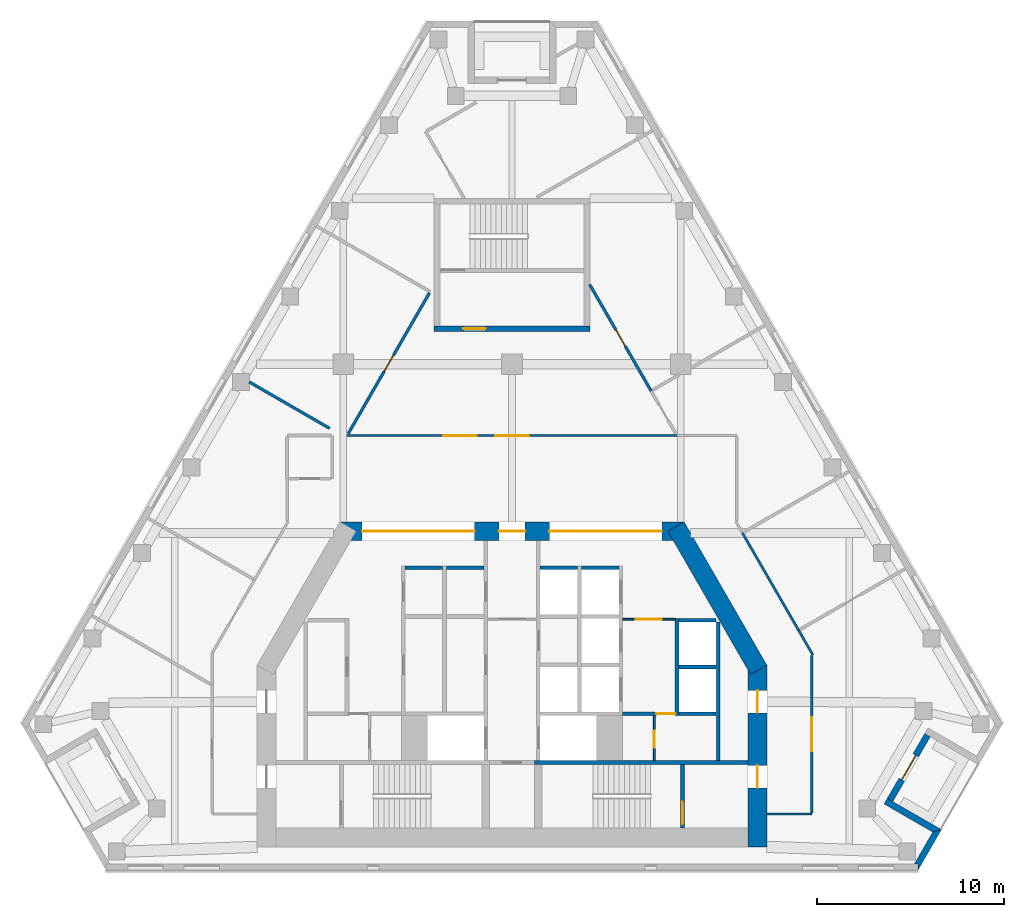
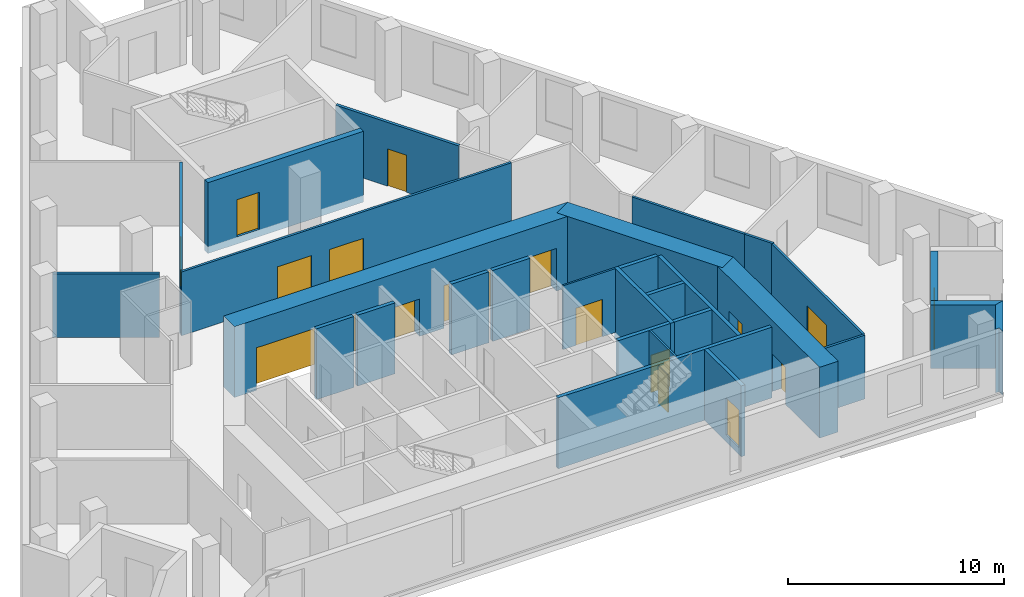
# One storey, part 4 of 7: 29 walls, 16 doors, 16 openings.
"""IFC4 building model written with IfcOpenShell, lengths in metres."""

import ifcopenshell
import ifcopenshell.guid

model = None  # the IFC model being written
_history = None  # IfcOwnerHistory: only IFC2X3 demands one
_inside = {}  # id of a spatial element -> (the spatial element, [elements in it])
_under = {}  # id of a project, library or spatial element -> (it, [spatial elements below it])
_declared = {}  # id of a project -> (the project, [libraries it declares])
_typed = {}  # id of a type object -> (the type object, [elements of that type])
_made_of = {}  # id of a material, layer set ... -> (it, [elements and type objects made of it])


def new_model(schema):
    """Start an empty IFC model of exactly this schema.

    Asked for "IFC4X3", IfcOpenShell would pick the latest addendum, in which some entities
    have other attributes; the version numbers below select the first issue.
    IFC2X3 requires an IfcOwnerHistory on every rooted entity: one is made here for all.
    """
    global model, _history
    if schema == "IFC4X3":
        model = ifcopenshell.file(schema_version=(4, 3, 0, 0))
    else:
        model = ifcopenshell.file(schema=schema)
    _inside.clear()
    _under.clear()
    _declared.clear()
    _typed.clear()
    _made_of.clear()
    _history = None
    if model.schema == "IFC2X3":
        org = make("IfcOrganization", Name="unknown")
        user = make(
            "IfcPersonAndOrganization",
            ThePerson=make("IfcPerson", FamilyName="unknown"),
            TheOrganization=org,
        )
        app = make(
            "IfcApplication",
            ApplicationDeveloper=org,
            Version="unknown",
            ApplicationFullName="unknown",
            ApplicationIdentifier="unknown",
        )
        _history = make(
            "IfcOwnerHistory",
            OwningUser=user,
            OwningApplication=app,
            ChangeAction="ADDED",
            CreationDate=0,
        )
    return model


def make(cls, **values):
    """One entity of the class cls with the attributes given. An attribute that is None is left unset."""
    return model.create_entity(
        cls, **{name: value for name, value in values.items() if value is not None}
    )


def rooted(cls, **values):
    """An entity with a GlobalId (a new one), such as an element, a storey or a relation."""
    return make(cls, GlobalId=ifcopenshell.guid.new(), OwnerHistory=_history, **values)


def si_unit(unit_type, name, prefix=None):
    """IfcSIUnit, for example si_unit("LENGTHUNIT", "METRE", prefix="MILLI")."""
    return make("IfcSIUnit", UnitType=unit_type, Prefix=prefix, Name=name)


def assignment(units):
    """IfcUnitAssignment: the units of a project."""
    return None if units is None else make("IfcUnitAssignment", Units=units)


def point(xyz):
    """IfcCartesianPoint."""
    return None if xyz is None else make("IfcCartesianPoint", Coordinates=xyz)


def direction(xyz):
    """IfcDirection."""
    return None if xyz is None else make("IfcDirection", DirectionRatios=xyz)


def frame(location, z_axis=None, x_axis=None):
    """IfcAxis2Placement3D, a coordinate frame: its origin and axes. An axis left out is left unset."""
    return make(
        "IfcAxis2Placement3D",
        Location=point(location),
        Axis=direction(z_axis),
        RefDirection=direction(x_axis),
    )


def frame_2d(location, x_axis=None):
    """IfcAxis2Placement2D, a coordinate frame in the plane: its origin and x axis."""
    return make(
        "IfcAxis2Placement2D", Location=point(location), RefDirection=direction(x_axis)
    )


def origin():
    """The frame at (0, 0, 0) with its axes left unset."""
    return frame((0.0, 0.0, 0.0))


def place(relative_to, where):
    """IfcLocalPlacement: puts the frame where relative to a parent placement (None: the world)."""
    return make(
        "IfcLocalPlacement", PlacementRelTo=relative_to, RelativePlacement=where
    )


def context(
    kind, dimensions, precision=None, world=None, true_north=None, identifier=None
):
    """IfcGeometricRepresentationContext, for example the 3D "Model" context."""
    return make(
        "IfcGeometricRepresentationContext",
        ContextIdentifier=identifier,
        ContextType=kind,
        CoordinateSpaceDimension=dimensions,
        Precision=precision,
        WorldCoordinateSystem=world,
        TrueNorth=true_north,
    )


def subcontext(parent, identifier, kind, view, scale=None):
    """IfcGeometricRepresentationSubContext, for example "Body" below "Model"."""
    return make(
        "IfcGeometricRepresentationSubContext",
        ContextIdentifier=identifier,
        ContextType=kind,
        ParentContext=parent,
        TargetScale=scale,
        TargetView=view,
    )


def project(units=None, contexts=None):
    """IfcProject with its units and contexts."""
    return rooted(
        "IfcProject",
        Name="project",
        RepresentationContexts=contexts,
        UnitsInContext=assignment(units),
    )


def spatial(cls, under=None, at=None, **own):
    """A site, building, storey or space (cls), placed at a placement, below another one or the project."""
    s = rooted(cls, ObjectPlacement=at, **own)
    if under is not None:
        _under.setdefault(under.id(), (under, []))[1].append(s)
    return s


def polyline(points):
    """IfcPolyline through the points."""
    return make("IfcPolyline", Points=[point(p) for p in points])


def profile(cls, at=None, kind="AREA", **sizes):
    """A parametric profile (cls). Its sizes go by their IFC names, for example OverallWidth=200.0."""
    return make(cls, ProfileType=kind, Position=at, **sizes)


def rectangle(**sizes):
    """IfcRectangleProfileDef."""
    return profile("IfcRectangleProfileDef", **sizes)


def outline(outer, holes=None, kind="AREA"):
    """IfcArbitraryClosedProfileDef: a profile drawn as a closed curve; with holes, ...WithVoids."""
    if holes is None:
        return make("IfcArbitraryClosedProfileDef", ProfileType=kind, OuterCurve=outer)
    return make(
        "IfcArbitraryProfileDefWithVoids",
        ProfileType=kind,
        OuterCurve=outer,
        InnerCurves=holes,
    )


def extrude(swept, where, along, depth):
    """IfcExtrudedAreaSolid: the profile swept, set in the frame where, extruded along a direction by depth."""
    return make(
        "IfcExtrudedAreaSolid",
        SweptArea=swept,
        Position=where,
        ExtrudedDirection=direction(along),
        Depth=depth,
    )


def shape(context_of_items, identifier, shape_type, items):
    """IfcShapeRepresentation: the items that make up one representation, for example the "Body"."""
    return make(
        "IfcShapeRepresentation",
        ContextOfItems=context_of_items,
        RepresentationIdentifier=identifier,
        RepresentationType=shape_type,
        Items=items,
    )


def material(Name=None, Category=None):
    """IfcMaterial."""
    return make("IfcMaterial", Name=Name, Category=Category)


def layer(
    of_material, thickness, ventilated=None, Name=None, Category=None, Priority=None
):
    """IfcMaterialLayer: one layer of a wall or slab, of a material (None: an air gap)."""
    return make(
        "IfcMaterialLayer",
        Material=of_material,
        LayerThickness=thickness,
        IsVentilated=ventilated,
        Name=Name,
        Category=Category,
        Priority=Priority,
    )


def layer_set(layers, Name=None):
    """IfcMaterialLayerSet."""
    return make("IfcMaterialLayerSet", MaterialLayers=layers, LayerSetName=Name)


def made_of(thing, what):
    """Note that an element or type object is made of a material, layer set ...; save() writes the relation."""
    if what is not None:
        _made_of.setdefault(what.id(), (what, []))[1].append(thing)
    return thing


def type_object(cls, material=None, **own):
    """A type object (cls), such as IfcWallType, which elements share."""
    return made_of(rooted(cls, **own), material)


def element(
    cls,
    number,
    at=None,
    inside=None,
    cuts=None,
    type_object=None,
    material=None,
    context=None,
    identifier="Body",
    shape_type=None,
    held_by="IfcProductDefinitionShape",
    body=None,
    shapes=None,
    **own,
):
    """One element of the class cls, such as IfcWall. Its Tag is "e" and its number.

    at: its placement. inside: the storey or other place that contains it. cuts: it is an
    opening in that element (IfcRelVoidsElement). A single representation is given by context,
    identifier, shape_type and body (its items); several are given by shapes. held_by: the class
    of the entity that holds the representations. save() writes the other relations.
    """
    e = rooted(cls, Tag="e%d" % number, ObjectPlacement=at, **own)
    if body is not None:
        shapes = [shape(context, identifier, shape_type, body)]
    if shapes is not None:
        e.Representation = make(held_by, Representations=shapes)
    if inside is not None:
        _inside.setdefault(inside.id(), (inside, []))[1].append(e)
    if cuts is not None:
        rooted(
            "IfcRelVoidsElement", RelatingBuildingElement=cuts, RelatedOpeningElement=e
        )
    if type_object is not None:
        _typed.setdefault(type_object.id(), (type_object, []))[1].append(e)
    return made_of(e, material)


def fill(opening, filler):
    """IfcRelFillsElement: the door or window that sits in an opening."""
    return rooted(
        "IfcRelFillsElement",
        RelatingOpeningElement=opening,
        RelatedBuildingElement=filler,
    )


def aggregate(whole, parts):
    """IfcRelAggregates: a whole, such as a stair, and the parts it consists of."""
    return rooted("IfcRelAggregates", RelatingObject=whole, RelatedObjects=parts)


def save(model, path):
    """Write the relations noted so far, then the file.

    IfcRelAggregates (storeys below a building ...), IfcRelContainedInSpatialStructure (elements
    in a storey), IfcRelDefinesByType, IfcRelAssociatesMaterial and IfcRelDeclares: one each for
    every whole, place, type object, material and project.
    """
    for whole, parts in _under.values():
        aggregate(whole, parts)
    for where, things in _inside.values():
        rooted(
            "IfcRelContainedInSpatialStructure",
            RelatedElements=things,
            RelatingStructure=where,
        )
    for kind, things in _typed.values():
        rooted("IfcRelDefinesByType", RelatedObjects=things, RelatingType=kind)
    for what, things in _made_of.values():
        rooted("IfcRelAssociatesMaterial", RelatedObjects=things, RelatingMaterial=what)
    for by, libraries in _declared.values():
        rooted("IfcRelDeclares", RelatingContext=by, RelatedDefinitions=libraries)
    model.write(path)


model = new_model("IFC4")

# Units and contexts
model_context = context("Model", 3, precision=1e-05, world=origin(), true_north=direction((0.0, 1.0)))
body_context = subcontext(model_context, "Body", "Model", "MODEL_VIEW")
ifc_project = project(units=[si_unit("LENGTHUNIT", "METRE"), si_unit("AREAUNIT", "SQUARE_METRE"), si_unit("VOLUMEUNIT", "CUBIC_METRE"), si_unit("PLANEANGLEUNIT", "RADIAN"), si_unit("MASSUNIT", "GRAM", prefix="KILO")], contexts=[model_context])

# Site, building, storey
site_placement = place(None, origin())
site = spatial("IfcSite", under=ifc_project, at=site_placement, CompositionType="ELEMENT")
building_placement = place(site_placement, origin())
building = spatial("IfcBuilding", under=site, at=building_placement, Name="Fogline Exchange Tower", CompositionType="ELEMENT")
storey_placement = place(building_placement, frame((0.0, 0.0, 255.5)))
storey = spatial("IfcBuildingStorey", under=building, at=storey_placement, Name="L58", CompositionType="ELEMENT", Elevation=255.5)

# Wall, opening, door
ifc_material_1 = material(Name="Blockwork partition", Category="masonry")
ifc_layer_1 = layer(ifc_material_1, 0.10009765625)
ifc_layer_set_1 = layer_set([ifc_layer_1], Name="CW10")
wall_type_1 = type_object("IfcWallType", Name="CW10", PredefinedType="PARTITIONING", material=ifc_layer_set_1)
wall_1_placement = place(storey_placement, frame((5.89990234375, 13.39990234375, 0.0), z_axis=(0.0, 0.0, 1.0), x_axis=(1.0, 0.0, 0.0)))
wall_1 = element("IfcWall", 1, at=wall_1_placement, inside=storey, type_object=wall_type_1, Name="Lift lobby partition", PredefinedType="PARTITIONING", context=body_context, shape_type="SweptSolid", body=[
    extrude(rectangle(XDim=2.800048828125, YDim=0.10009765625, at=frame_2d((1.39990234375, 0.0))), origin(), (0.0, 0.0, 1.0), 3.60009765625),
])
opening_1_placement = place(wall_1_placement, frame((0.699951171875, 0.0, 0.0)))
opening_1 = element("IfcOpeningElement", 2, at=opening_1_placement, cuts=wall_1, Name="Opening T18-C013", PredefinedType="OPENING", context=body_context, shape_type="SweptSolid", body=[
    extrude(rectangle(XDim=1.39990234375, YDim=2.10009765625, at=frame_2d((0.699951171875, 1.050048828125))), frame((0.0, 0.06005859375, 0.0), z_axis=(0.0, -1.0, 0.0), x_axis=(1.0, 0.0, 0.0)), (0.0, 0.0, 1.0), 0.1201171875),
])
ifc_material_2 = material(Name="Steel and timber fire door", Category="steel")
door_type_1 = type_object("IfcDoorType", Name="D-LB1", OperationType="DOUBLE_DOOR_SINGLE_SWING", PredefinedType="DOOR", material=ifc_material_2)
door_1_placement = place(opening_1_placement, frame((1.39990234375, 0.0, 0.0), z_axis=(0.0, 0.0, 1.0), x_axis=(-1.0, 0.0, 0.0)))
door_1 = element("IfcDoor", 3, at=door_1_placement, inside=storey, type_object=door_type_1, Name="Door to lift lobby", OperationType="DOUBLE_DOOR_SINGLE_SWING", OverallHeight=2.10009765625, OverallWidth=1.39990234375, PredefinedType="DOOR", context=body_context, shape_type="SweptSolid", body=[
    extrude(rectangle(XDim=1.39990234375, YDim=2.10009765625, at=frame_2d((0.699951171875, 1.050048828125))), frame((0.0, 0.02490234375, 0.0), z_axis=(0.0, -1.0, 0.0), x_axis=(1.0, 0.0, 0.0)), (0.0, 0.0, 1.0), 0.050048828125),
])
fill(opening_1, door_1)

wall_2_placement = place(storey_placement, frame((7.60009765625, 5.85009765625, 0.0), z_axis=(0.0, 0.0, 1.0), x_axis=(0.0, 1.0, 0.0)))
wall_2 = element("IfcWall", 4, at=wall_2_placement, inside=storey, type_object=wall_type_1, Name="WC partition", PredefinedType="PARTITIONING", context=body_context, shape_type="SweptSolid", body=[
    extrude(rectangle(XDim=2.39990234375, YDim=0.10009765625, at=frame_2d((1.199951171875, 0.0))), origin(), (0.0, 0.0, 1.0), 3.60009765625),
])
opening_2_placement = place(wall_2_placement, frame((0.699951171875, 0.0, 0.0)))
opening_2 = element("IfcOpeningElement", 5, at=opening_2_placement, cuts=wall_2, Name="Opening T18-C015", PredefinedType="OPENING", context=body_context, shape_type="SweptSolid", body=[
    extrude(rectangle(XDim=0.89990234375, YDim=2.10009765625, at=frame_2d((0.449951171875, 1.050048828125))), frame((0.0, 0.06005859375, 0.0), z_axis=(0.0, -1.0, 0.0), x_axis=(1.0, 0.0, 0.0)), (0.0, 0.0, 1.0), 0.1201171875),
])
door_type_2 = type_object("IfcDoorType", Name="D-CS1", OperationType="SINGLE_SWING_RIGHT", PredefinedType="DOOR", material=ifc_material_2)
door_2_placement = place(opening_2_placement, origin())
door_2 = element("IfcDoor", 6, at=door_2_placement, inside=storey, type_object=door_type_2, Name="Door to Cleaner's Store", OperationType="SINGLE_SWING_LEFT", OverallHeight=2.10009765625, OverallWidth=0.89990234375, PredefinedType="DOOR", context=body_context, shape_type="SweptSolid", body=[
    extrude(rectangle(XDim=0.89990234375, YDim=2.10009765625, at=frame_2d((0.449951171875, 1.050048828125))), frame((0.0, 0.02490234375, 0.0), z_axis=(0.0, -1.0, 0.0), x_axis=(1.0, 0.0, 0.0)), (0.0, 0.0, 1.0), 0.050048828125),
])
fill(opening_2, door_2)

# Wall
ifc_material_3 = material(Name="Concrete C40", Category="concrete")
ifc_layer_2 = layer(ifc_material_3, 0.199951171875)
ifc_layer_set_2 = layer_set([ifc_layer_2], Name="CW20")
wall_type_2 = type_object("IfcWallType", Name="CW20", PredefinedType="SOLIDWALL", material=ifc_layer_set_2)
wall_3_placement = place(storey_placement, frame((11.0, 5.85009765625, 0.0), z_axis=(0.0, 0.0, 1.0), x_axis=(0.0, 1.0, 0.0)))
element("IfcWall", 7, at=wall_3_placement, inside=storey, type_object=wall_type_2, Name="Service room wall", PredefinedType="SOLIDWALL", context=body_context, shape_type="SweptSolid", body=[
    extrude(rectangle(XDim=7.39990234375, YDim=0.199951171875, at=frame_2d((3.699951171875, 0.0))), origin(), (0.0, 0.0, 1.0), 3.60009765625),
])

# Wall, opening, door
wall_4_placement = place(storey_placement, frame((5.89990234375, 8.35009765625, 0.0), z_axis=(0.0, 0.0, 1.0), x_axis=(1.0, 0.0, 0.0)))
wall_4 = element("IfcWall", 8, at=wall_4_placement, inside=storey, type_object=wall_type_2, Name="WC wall", PredefinedType="SOLIDWALL", context=body_context, shape_type="SweptSolid", body=[
    extrude(rectangle(XDim=2.800048828125, YDim=0.199951171875, at=frame_2d((1.39990234375, 0.0))), origin(), (0.0, 0.0, 1.0), 3.60009765625),
])
opening_3_placement = place(wall_4_placement, frame((1.800048828125, 0.0, 0.0)))
opening_3 = element("IfcOpeningElement", 9, at=opening_3_placement, cuts=wall_4, Name="Opening T18-C014", PredefinedType="OPENING", context=body_context, shape_type="SweptSolid", body=[
    extrude(rectangle(XDim=1.0, YDim=2.10009765625, at=frame_2d((0.5, 1.050048828125))), frame((0.0, 0.10986328125, 0.0), z_axis=(0.0, -1.0, 0.0), x_axis=(1.0, 0.0, 0.0)), (0.0, 0.0, 1.0), 0.219970703125),
])
door_type_3 = type_object("IfcDoorType", Name="D-WC1", OperationType="SINGLE_SWING_LEFT", PredefinedType="DOOR", material=ifc_material_2)
door_3_placement = place(opening_3_placement, frame((1.0, 0.0, 0.0), z_axis=(0.0, 0.0, 1.0), x_axis=(-1.0, 0.0, 0.0)))
door_3 = element("IfcDoor", 10, at=door_3_placement, inside=storey, type_object=door_type_3, Name="Door to Women's WC", OperationType="SINGLE_SWING_LEFT", OverallHeight=2.10009765625, OverallWidth=1.0, PredefinedType="DOOR", context=body_context, shape_type="SweptSolid", body=[
    extrude(rectangle(XDim=1.0, YDim=2.10009765625, at=frame_2d((0.5, 1.050048828125))), frame((0.0, 0.02490234375, 0.0), z_axis=(0.0, -1.0, 0.0), x_axis=(1.0, 0.0, 0.0)), (0.0, 0.0, 1.0), 0.050048828125),
])
fill(opening_3, door_3)

# Wall
ifc_layer_3 = layer(ifc_material_3, 0.199951171875)
ifc_layer_set_3 = layer_set([ifc_layer_3], Name="CW20R")
wall_type_3 = type_object("IfcWallType", Name="CW20R", PredefinedType="SOLIDWALL", material=ifc_layer_set_3)
wall_5_placement = place(storey_placement, frame((1.199951171875, 5.75, -0.39990234375), z_axis=(0.0, 0.0, 1.0), x_axis=(1.0, 0.0, 0.0)))
element("IfcWall", 11, at=wall_5_placement, inside=storey, type_object=wall_type_3, Name="Stair enclosure wall", PredefinedType="SOLIDWALL", context=body_context, shape_type="SweptSolid", body=[
    extrude(rectangle(XDim=11.400146484375, YDim=0.199951171875, at=frame_2d((5.7001953125, 0.0))), origin(), (0.0, 0.0, 1.0), 4.0),
])

# Wall, opening, door
wall_6_placement = place(storey_placement, frame((9.10009765625, 2.25, -0.39990234375), z_axis=(0.0, 0.0, 1.0), x_axis=(0.0, 1.0, 0.0)))
wall_6 = element("IfcWall", 12, at=wall_6_placement, inside=storey, type_object=wall_type_3, Name="Stair enclosure wall", PredefinedType="SOLIDWALL", context=body_context, shape_type="SweptSolid", body=[
    extrude(rectangle(XDim=3.39990234375, YDim=0.199951171875, at=frame_2d((1.699951171875, 0.0))), origin(), (0.0, 0.0, 1.0), 4.0),
])
opening_4_placement = place(wall_6_placement, frame((0.199951171875, 0.0, 0.39990234375)))
opening_4 = element("IfcOpeningElement", 13, at=opening_4_placement, cuts=wall_6, Name="Opening T18-C017", PredefinedType="OPENING", context=body_context, shape_type="SweptSolid", body=[
    extrude(rectangle(XDim=1.199951171875, YDim=2.10009765625, at=frame_2d((0.60009765625, 1.050048828125))), frame((0.0, 0.10986328125, 0.0), z_axis=(0.0, -1.0, 0.0), x_axis=(1.0, 0.0, 0.0)), (0.0, 0.0, 1.0), 0.219970703125),
])
door_type_4 = type_object("IfcDoorType", Name="D-ST1", OperationType="SINGLE_SWING_LEFT", PredefinedType="DOOR", material=ifc_material_2)
door_4_placement = place(opening_4_placement, origin())
door_4 = element("IfcDoor", 14, at=door_4_placement, inside=storey, type_object=door_type_4, Name="Stair door ST2", OperationType="SINGLE_SWING_LEFT", OverallHeight=2.10009765625, OverallWidth=1.199951171875, PredefinedType="DOOR", context=body_context, shape_type="SweptSolid", body=[
    extrude(rectangle(XDim=1.199951171875, YDim=2.10009765625, at=frame_2d((0.60009765625, 1.050048828125))), frame((0.0, 0.02490234375, 0.0), z_axis=(0.0, -1.0, 0.0), x_axis=(1.0, 0.0, 0.0)), (0.0, 0.0, 1.0), 0.050048828125),
])
fill(opening_4, door_4)

# Walls
ifc_layer_4 = layer(ifc_material_3, 0.199951171875)
ifc_layer_set_4 = layer_set([ifc_layer_4], Name="CW20S")
wall_type_4 = type_object("IfcWallType", Name="CW20S", PredefinedType="SOLIDWALL", material=ifc_layer_set_4)
wall_7_placement = place(storey_placement, frame((8.800048828125, 8.25, -0.39990234375), z_axis=(0.0, 0.0, 1.0), x_axis=(0.0, 1.0, 0.0)))
element("IfcWall", 15, at=wall_7_placement, inside=storey, type_object=wall_type_4, Name="Lift shaft wall", PredefinedType="SOLIDWALL", context=body_context, shape_type="SweptSolid", body=[
    extrude(rectangle(XDim=5.199951171875, YDim=0.199951171875, at=frame_2d((2.60009765625, 0.0))), origin(), (0.0, 0.0, 1.0), 4.0),
])
for number, where, z_axis, x_axis, name in (
    (16, (8.89990234375, 8.35009765625, -0.39990234375), (0.0, 0.0, 1.0), (1.0, 0.0, 0.0), "Lift shaft wall"),
    (17, (-5.699951171875, 16.14990234375, -0.39990234375), (0.0, 0.0, 1.0), (1.0, 0.0, 0.0), "Lift shaft wall"),
    (18, (-3.5, 16.14990234375, -0.39990234375), (0.0, 0.0, 1.0), (1.0, 0.0, 0.0), "Lift shaft wall"),
    (19, (8.89990234375, 10.85009765625, -0.39990234375), (0.0, 0.0, 1.0), (1.0, 0.0, 0.0), "Lift shaft wall"),
    (20, (8.89990234375, 13.35009765625, -0.39990234375), (0.0, 0.0, 1.0), (1.0, 0.0, 0.0), "Lift shaft wall"),
    (21, (3.699951171875, 16.14990234375, -0.39990234375), (0.0, 0.0, 1.0), (1.0, 0.0, 0.0), "Lift shaft wall"),
    (22, (1.5, 16.14990234375, -0.39990234375), (0.0, 0.0, 1.0), (1.0, 0.0, 0.0), "Lift shaft wall"),
):
    element("IfcWall", number, at=place(storey_placement, frame(where, z_axis=z_axis, x_axis=x_axis)), inside=storey, type_object=wall_type_4, Name=name, PredefinedType="SOLIDWALL", context=body_context, shape_type="SweptSolid", body=[
        extrude(rectangle(XDim=2.0, YDim=0.199951171875, at=frame_2d((1.0, 0.0))), origin(), (0.0, 0.0, 1.0), 4.0),
    ])

# Wall, opening, door
ifc_layer_5 = layer(ifc_material_3, 0.300048828125)
ifc_layer_set_5 = layer_set([ifc_layer_5], Name="CW30")
wall_type_5 = type_object("IfcWallType", Name="CW30", PredefinedType="SOLIDWALL", material=ifc_layer_set_5)
wall_8_placement = place(storey_placement, frame((-4.14990234375, 28.906982421875, -0.39990234375), z_axis=(0.0, 0.0, 1.0), x_axis=(1.0, 0.0, 0.0)))
wall_8 = element("IfcWall", 23, at=wall_8_placement, inside=storey, type_object=wall_type_5, Name="Stair enclosure wall ST3", PredefinedType="SOLIDWALL", context=body_context, shape_type="SweptSolid", body=[
    extrude(rectangle(XDim=8.2998046875, YDim=0.300048828125, at=frame_2d((4.14990234375, 0.0))), origin(), (0.0, 0.0, 1.0), 4.0),
])
opening_5_placement = place(wall_8_placement, frame((1.550048828125, 0.0, 0.39990234375)))
opening_5 = element("IfcOpeningElement", 24, at=opening_5_placement, cuts=wall_8, Name="Opening T18-C023", PredefinedType="OPENING", context=body_context, shape_type="SweptSolid", body=[
    extrude(rectangle(XDim=1.199951171875, YDim=2.10009765625, at=frame_2d((0.60009765625, 1.050048828125))), frame((0.0, 0.16015625, 0.0), z_axis=(0.0, -1.0, 0.0), x_axis=(1.0, 0.0, 0.0)), (0.0, 0.0, 1.0), 0.320068359375),
])
door_type_5 = type_object("IfcDoorType", Name="D-FR1", OperationType="SINGLE_SWING_RIGHT", PredefinedType="DOOR", material=ifc_material_2)
door_5_placement = place(opening_5_placement, origin())
door_5 = element("IfcDoor", 25, at=door_5_placement, inside=storey, type_object=door_type_5, Name="Front room door ST3", OperationType="SINGLE_SWING_LEFT", OverallHeight=2.10009765625, OverallWidth=1.199951171875, PredefinedType="DOOR", context=body_context, shape_type="SweptSolid", body=[
    extrude(rectangle(XDim=1.199951171875, YDim=2.10009765625, at=frame_2d((0.60009765625, 1.050048828125))), frame((0.0, 0.02490234375, 0.0), z_axis=(0.0, -1.0, 0.0), x_axis=(1.0, 0.0, 0.0)), (0.0, 0.0, 1.0), 0.050048828125),
])
fill(opening_5, door_5)

# Walls
ifc_material_4 = material(Name="Brick masonry", Category="masonry")
ifc_layer_6 = layer(ifc_material_4, 0.340087890625)
ifc_layer_set_6 = layer_set([ifc_layer_6], Name="FW1")
wall_type_6 = type_object("IfcWallType", Name="FW1", PredefinedType="SOLIDWALL", material=ifc_layer_set_6)
wall_9_placement = place(storey_placement, origin())
element("IfcWall", 26, at=wall_9_placement, inside=storey, type_object=wall_type_6, Name="Brick wall L58 SE-c1", PredefinedType="SOLIDWALL", context=body_context, shape_type="SweptSolid", body=[
    extrude(outline(polyline([(22.92041015625, 2.165771484375), (21.66943359375, -0.001220703125), (21.668701171875, -0.0009765625), (21.668701171875, 0.33935546875), (21.471923828125, 0.33935546875), (22.45458984375, 2.041015625), (22.920166015625, 2.166015625), (22.92041015625, 2.165771484375)])), origin(), (0.0, 0.0, 1.0), 3.60009765625),
])
wall_10_placement = place(storey_placement, origin())
element("IfcWall", 27, at=wall_10_placement, inside=storey, type_object=wall_type_6, Name="Brick wall L58 SE-s1", PredefinedType="SOLIDWALL", context=body_context, shape_type="SweptSolid", body=[
    extrude(outline(polyline([(19.85595703125, 3.540283203125), (20.026611328125, 3.8359375), (20.321533203125, 3.66552734375), (22.920654296875, 2.1650390625), (22.92041015625, 2.164794921875), (22.454833984375, 2.0400390625), (19.85595703125, 3.540283203125)])), origin(), (0.0, 0.0, 1.0), 3.60009765625),
])

# Wall, opening, door
wall_11_placement = place(storey_placement, frame((20.174072265625, 3.75, 0.0), z_axis=(0.0, 0.0, 1.0), x_axis=(0.49999894854, 0.866026010844, 0.0)))
wall_11 = element("IfcWall", 28, at=wall_11_placement, inside=storey, type_object=wall_type_6, Name="Brick wall L58 SE-bk", PredefinedType="SOLIDWALL", context=body_context, shape_type="SweptSolid", body=[
    extrude(rectangle(XDim=4.0, YDim=0.340087890625, at=frame_2d((2.0, 0.0))), origin(), (0.0, 0.0, 1.0), 3.60009765625),
])
opening_6_placement = place(wall_11_placement, frame((1.25, 0.0, 0.0)))
opening_6 = element("IfcOpeningElement", 29, at=opening_6_placement, cuts=wall_11, Name="Opening T18-E081", PredefinedType="OPENING", context=body_context, shape_type="SweptSolid", body=[
    extrude(rectangle(XDim=1.5, YDim=2.39990234375, at=frame_2d((0.75, 1.199951171875))), frame((0.0, 0.18017578125, 0.0), z_axis=(0.0, -1.0, 0.0), x_axis=(1.0, 0.0, 0.0)), (0.0, 0.0, 1.0), 0.360107421875),
])
ifc_material_5 = material(Name="Aluminium and glass", Category="aluminium")
door_type_6 = type_object("IfcDoorType", Name="ED4", OperationType="SINGLE_SWING_LEFT", PredefinedType="DOOR", material=ifc_material_5)
door_6_placement = place(opening_6_placement, frame((1.5, 0.0, 0.0), z_axis=(0.0, 0.0, 1.0), x_axis=(-1.0, 0.0, 0.0)))
door_6 = element("IfcDoor", 30, at=door_6_placement, inside=storey, type_object=door_type_6, Name="Balcony door L58 SE", OperationType="DOUBLE_DOOR_SINGLE_SWING", OverallHeight=2.39990234375, OverallWidth=1.5, PredefinedType="DOOR", context=body_context, shape_type="SweptSolid", body=[
    extrude(rectangle(XDim=1.5, YDim=2.39990234375, at=frame_2d((0.75, 1.199951171875))), frame((0.0, 0.02490234375, 0.0), z_axis=(0.0, -1.0, 0.0), x_axis=(1.0, 0.0, 0.0)), (0.0, 0.0, 1.0), 0.050048828125),
])
fill(opening_6, door_6)

# Wall
ifc_material_6 = material(Name="Plasterboard corridor partition with mineral wool, 2 layers each side")
ifc_layer_7 = layer(ifc_material_6, 0.125)
ifc_layer_set_7 = layer_set([ifc_layer_7], Name="PW2")
wall_type_7 = type_object("IfcWallType", Name="PW2", PredefinedType="PARTITIONING", material=ifc_layer_set_7)
wall_12_placement = place(storey_placement, frame((15.296630859375, 12.806640625, 0.0), z_axis=(0.0, 0.0, 1.0), x_axis=(0.50003863285, -0.866003097949, 0.0)))
element("IfcWall", 31, at=wall_12_placement, inside=storey, type_object=wall_type_7, Name="wall-L58-W002", PredefinedType="PARTITIONING", context=body_context, shape_type="SweptSolid", body=[
    extrude(rectangle(XDim=1.51513671875, YDim=0.125, at=frame_2d((0.757568359375, 0.0))), origin(), (0.0, 0.0, 1.0), 3.60009765625),
])

# Wall, opening, door
wall_13_placement = place(storey_placement, frame((16.0, 11.46337890625, 0.0), z_axis=(0.0, 0.0, 1.0), x_axis=(0.0, -1.0, 0.0)))
wall_13 = element("IfcWall", 32, at=wall_13_placement, inside=storey, type_object=wall_type_7, Name="wall-L58-W003", PredefinedType="PARTITIONING", context=body_context, shape_type="SweptSolid", body=[
    extrude(rectangle(XDim=8.40087890625, YDim=0.125, at=frame_2d((4.200439453125, 0.0))), origin(), (0.0, 0.0, 1.0), 3.60009765625),
])
opening_7_placement = place(wall_13_placement, frame((3.300537109375, 0.0, 0.0)))
opening_7 = element("IfcOpeningElement", 33, at=opening_7_placement, cuts=wall_13, Name="Opening T18-D001", PredefinedType="OPENING", context=body_context, shape_type="SweptSolid", body=[
    extrude(rectangle(XDim=1.800048828125, YDim=2.10009765625, at=frame_2d((0.89990234375, 1.050048828125))), frame((0.0, 0.072509765625, 0.0), z_axis=(0.0, -1.0, 0.0), x_axis=(1.0, 0.0, 0.0)), (0.0, 0.0, 1.0), 0.14501953125),
])
ifc_material_7 = material(Name="Fire-rated timber door leaves with steel frame", Category="steel")
door_type_7 = type_object("IfcDoorType", Name="D4", OperationType="DOUBLE_DOOR_SINGLE_SWING", PredefinedType="DOOR", material=ifc_material_7)
door_7_placement = place(opening_7_placement, frame((1.800048828125, 0.0, 0.0), z_axis=(0.0, 0.0, 1.0), x_axis=(-1.0, 0.0, 0.0)))
door_7 = element("IfcDoor", 34, at=door_7_placement, inside=storey, type_object=door_type_7, Name="door-L58-D001", OperationType="DOUBLE_DOOR_SINGLE_SWING", OverallHeight=2.10009765625, OverallWidth=1.800048828125, PredefinedType="DOOR", context=body_context, shape_type="SweptSolid", body=[
    extrude(rectangle(XDim=1.800048828125, YDim=2.10009765625, at=frame_2d((0.89990234375, 1.050048828125))), frame((0.0, 0.02490234375, 0.0), z_axis=(0.0, -1.0, 0.0), x_axis=(1.0, 0.0, 0.0)), (0.0, 0.0, 1.0), 0.050048828125),
])
fill(opening_7, door_7)

# Walls
wall_14_placement = place(storey_placement, frame((16.0, 3.0, 0.0), z_axis=(0.0, 0.0, 1.0), x_axis=(-1.0, 0.0, 0.0)))
element("IfcWall", 35, at=wall_14_placement, inside=storey, type_object=wall_type_7, Name="wall-L58-W004", PredefinedType="PARTITIONING", context=body_context, shape_type="SweptSolid", body=[
    extrude(rectangle(XDim=2.39990234375, YDim=0.125, at=frame_2d((1.199951171875, 0.0))), origin(), (0.0, 0.0, 1.0), 3.60009765625),
])
wall_15_placement = place(storey_placement, frame((12.296630859375, 18.002685546875, 0.0), z_axis=(0.0, 0.0, 1.0), x_axis=(0.500007758305, -0.866020924479, 0.0)))
element("IfcWall", 36, at=wall_15_placement, inside=storey, type_object=wall_type_7, Name="wall-L58-W005", PredefinedType="PARTITIONING", context=body_context, shape_type="SweptSolid", body=[
    extrude(rectangle(XDim=6.0, YDim=0.125, at=frame_2d((3.0, 0.0))), origin(), (0.0, 0.0, 1.0), 3.60009765625),
])

# Wall, openings, doors
wall_16_placement = place(storey_placement, frame((-8.79931640625, 23.199951171875, 0.0), z_axis=(0.0, 0.0, 1.0), x_axis=(1.0, 0.0, 0.0)))
wall_16 = element("IfcWall", 37, at=wall_16_placement, inside=storey, type_object=wall_type_7, Name="wall-L58-W008", PredefinedType="PARTITIONING", context=body_context, shape_type="SweptSolid", body=[
    extrude(rectangle(XDim=17.5986328125, YDim=0.125, at=frame_2d((8.79931640625, 0.0))), origin(), (0.0, 0.0, 1.0), 3.60009765625),
])
opening_8_placement = place(wall_16_placement, frame((5.11767578125, 0.0, 0.0)))
opening_8 = element("IfcOpeningElement", 38, at=opening_8_placement, cuts=wall_16, Name="Opening T18-D002", PredefinedType="OPENING", context=body_context, shape_type="SweptSolid", body=[
    extrude(rectangle(XDim=1.800048828125, YDim=2.10009765625, at=frame_2d((0.89990234375, 1.050048828125))), frame((0.0, 0.072509765625, 0.0), z_axis=(0.0, -1.0, 0.0), x_axis=(1.0, 0.0, 0.0)), (0.0, 0.0, 1.0), 0.14501953125),
])
opening_9_placement = place(wall_16_placement, frame((7.8994140625, 0.0, 0.0)))
opening_9 = element("IfcOpeningElement", 39, at=opening_9_placement, cuts=wall_16, Name="Opening T18-D003", PredefinedType="OPENING", context=body_context, shape_type="SweptSolid", body=[
    extrude(rectangle(XDim=1.800048828125, YDim=2.10009765625, at=frame_2d((0.89990234375, 1.050048828125))), frame((0.0, 0.072509765625, 0.0), z_axis=(0.0, -1.0, 0.0), x_axis=(1.0, 0.0, 0.0)), (0.0, 0.0, 1.0), 0.14501953125),
])
door_8_placement = place(opening_8_placement, frame((1.800048828125, 0.0, 0.0), z_axis=(0.0, 0.0, 1.0), x_axis=(-1.0, 0.0, 0.0)))
door_8 = element("IfcDoor", 40, at=door_8_placement, inside=storey, type_object=door_type_7, Name="door-L58-D002", OperationType="DOUBLE_DOOR_SINGLE_SWING", OverallHeight=2.10009765625, OverallWidth=1.800048828125, PredefinedType="DOOR", context=body_context, shape_type="SweptSolid", body=[
    extrude(rectangle(XDim=1.800048828125, YDim=2.10009765625, at=frame_2d((0.89990234375, 1.050048828125))), frame((0.0, 0.02490234375, 0.0), z_axis=(0.0, -1.0, 0.0), x_axis=(1.0, 0.0, 0.0)), (0.0, 0.0, 1.0), 0.050048828125),
])
fill(opening_8, door_8)
door_9_placement = place(opening_9_placement, frame((1.800048828125, 0.0, 0.0), z_axis=(0.0, 0.0, 1.0), x_axis=(-1.0, 0.0, 0.0)))
door_9 = element("IfcDoor", 41, at=door_9_placement, inside=storey, type_object=door_type_7, Name="door-L58-D003", OperationType="DOUBLE_DOOR_SINGLE_SWING", OverallHeight=2.10009765625, OverallWidth=1.800048828125, PredefinedType="DOOR", context=body_context, shape_type="SweptSolid", body=[
    extrude(rectangle(XDim=1.800048828125, YDim=2.10009765625, at=frame_2d((0.89990234375, 1.050048828125))), frame((0.0, 0.02490234375, 0.0), z_axis=(0.0, -1.0, 0.0), x_axis=(1.0, 0.0, 0.0)), (0.0, 0.0, 1.0), 0.050048828125),
])
fill(opening_9, door_9)

# Wall, opening, door
ifc_material_8 = material(Name="Plasterboard demising partition with mineral wool and acoustic board")
ifc_layer_8 = layer(ifc_material_8, 0.14990234375)
ifc_layer_set_8 = layer_set([ifc_layer_8], Name="PW3")
wall_type_8 = type_object("IfcWallType", Name="PW3", PredefinedType="PARTITIONING", material=ifc_layer_set_8)
wall_17_placement = place(storey_placement, frame((7.424072265625, 25.581787109375, 0.0), z_axis=(0.0, 0.0, 1.0), x_axis=(-0.499992467015, 0.866029752912, 0.0)))
wall_17 = element("IfcWall", 42, at=wall_17_placement, inside=storey, type_object=wall_type_8, Name="wall-L58-W023", PredefinedType="PARTITIONING", context=body_context, shape_type="SweptSolid", body=[
    extrude(rectangle(XDim=6.54833984375, YDim=0.14990234375, at=frame_2d((3.274169921875, 0.0))), origin(), (0.0, 0.0, 1.0), 3.60009765625),
])
opening_10_placement = place(wall_17_placement, frame((2.774169921875, 0.0, 0.0)))
opening_10 = element("IfcOpeningElement", 43, at=opening_10_placement, cuts=wall_17, Name="Opening T18-D009", PredefinedType="OPENING", context=body_context, shape_type="SweptSolid", body=[
    extrude(rectangle(XDim=1.0, YDim=2.10009765625, at=frame_2d((0.5, 1.050048828125))), frame((0.0, 0.0849609375, 0.0), z_axis=(0.0, -1.0, 0.0), x_axis=(1.0, 0.0, 0.0)), (0.0, 0.0, 1.0), 0.169921875),
])
ifc_material_9 = material(Name="Fire-rated timber door leaf with steel frame", Category="steel")
door_type_8 = type_object("IfcDoorType", Name="D3", OperationType="SINGLE_SWING_LEFT", PredefinedType="DOOR", material=ifc_material_9)
door_10_placement = place(opening_10_placement, frame((1.0, 0.0, 0.0), z_axis=(0.0, 0.0, 1.0), x_axis=(-1.0, 0.0, 0.0)))
door_10 = element("IfcDoor", 44, at=door_10_placement, inside=storey, type_object=door_type_8, Name="door-L58-D009", OperationType="SINGLE_SWING_RIGHT", OverallHeight=2.10009765625, OverallWidth=1.0, PredefinedType="DOOR", context=body_context, shape_type="SweptSolid", body=[
    extrude(rectangle(XDim=1.0, YDim=2.10009765625, at=frame_2d((0.5, 1.050048828125))), frame((0.0, 0.02490234375, 0.0), z_axis=(0.0, -1.0, 0.0), x_axis=(1.0, 0.0, 0.0)), (0.0, 0.0, 1.0), 0.050048828125),
])
fill(opening_10, door_10)

wall_18_placement = place(storey_placement, frame((-8.7412109375, 23.30029296875, 0.0), z_axis=(0.0, 0.0, 1.0), x_axis=(0.499998569178, 0.866026229868, 0.0)))
wall_18 = element("IfcWall", 45, at=wall_18_placement, inside=storey, type_object=wall_type_8, Name="wall-L58-W026", PredefinedType="PARTITIONING", context=body_context, shape_type="SweptSolid", body=[
    extrude(rectangle(XDim=8.67431640625, YDim=0.14990234375, at=frame_2d((4.337158203125, 0.0))), origin(), (0.0, 0.0, 1.0), 3.60009765625),
])
opening_11_placement = place(wall_18_placement, frame((3.837158203125, 0.0, 0.0)))
opening_11 = element("IfcOpeningElement", 46, at=opening_11_placement, cuts=wall_18, Name="Opening T18-D011", PredefinedType="OPENING", context=body_context, shape_type="SweptSolid", body=[
    extrude(rectangle(XDim=1.0, YDim=2.10009765625, at=frame_2d((0.5, 1.050048828125))), frame((0.0, 0.0849609375, 0.0), z_axis=(0.0, -1.0, 0.0), x_axis=(1.0, 0.0, 0.0)), (0.0, 0.0, 1.0), 0.169921875),
])
door_11_placement = place(opening_11_placement, origin())
door_11 = element("IfcDoor", 47, at=door_11_placement, inside=storey, type_object=door_type_8, Name="door-L58-D011", OperationType="SINGLE_SWING_LEFT", OverallHeight=2.10009765625, OverallWidth=1.0, PredefinedType="DOOR", context=body_context, shape_type="SweptSolid", body=[
    extrude(rectangle(XDim=1.0, YDim=2.10009765625, at=frame_2d((0.5, 1.050048828125))), frame((0.0, 0.02490234375, 0.0), z_axis=(0.0, -1.0, 0.0), x_axis=(1.0, 0.0, 0.0)), (0.0, 0.0, 1.0), 0.050048828125),
])
fill(opening_11, door_11)

# Wall
wall_19_placement = place(storey_placement, frame((-9.732666015625, 23.58349609375, 0.0), z_axis=(0.0, 0.0, 1.0), x_axis=(-0.866045937672, 0.499964432576, 0.0)))
element("IfcWall", 48, at=wall_19_placement, inside=storey, type_object=wall_type_8, Name="wall-L58-W028", PredefinedType="PARTITIONING", context=body_context, shape_type="SweptSolid", body=[
    extrude(rectangle(XDim=4.948974609375, YDim=0.14990234375, at=frame_2d((2.474609375, 0.0))), origin(), (0.0, 0.0, 1.0), 3.60009765625),
])

# Wall, openings, doors
ifc_material_10 = material(Name="Concrete C60", Category="concrete")
ifc_layer_9 = layer(ifc_material_10, 1.0)
ifc_layer_set_9 = layer_set([ifc_layer_9], Name="SW03")
wall_type_9 = type_object("IfcWallType", Name="SW03", PredefinedType="SHEAR", material=ifc_layer_set_9)
wall_20_placement = place(storey_placement, frame((13.10009765625, 1.25, 0.0), z_axis=(0.0, 0.0, 1.0), x_axis=(0.0, 1.0, 0.0)))
wall_20 = element("IfcWall", 49, at=wall_20_placement, inside=storey, type_object=wall_type_9, Name="L58-W902", PredefinedType="SHEAR", context=body_context, shape_type="SweptSolid", body=[
    extrude(rectangle(XDim=9.6953125, YDim=1.0, at=frame_2d((4.84765625, 0.0))), origin(), (0.0, 0.0, 1.0), 4.0),
])
opening_12_placement = place(wall_20_placement, frame((3.14990234375, 0.0, 0.0)))
opening_12 = element("IfcOpeningElement", 50, at=opening_12_placement, cuts=wall_20, Name="Opening T18-C016", PredefinedType="OPENING", context=body_context, shape_type="SweptSolid", body=[
    extrude(rectangle(XDim=1.199951171875, YDim=2.10009765625, at=frame_2d((0.60009765625, 1.050048828125))), frame((0.0, 0.510009765625, 0.0), z_axis=(0.0, -1.0, 0.0), x_axis=(1.0, 0.0, 0.0)), (0.0, 0.0, 1.0), 1.02001953125),
])
opening_13_placement = place(wall_20_placement, frame((7.14990234375, 0.0, 0.0)))
opening_13 = element("IfcOpeningElement", 51, at=opening_13_placement, cuts=wall_20, Name="Opening T18-C018", PredefinedType="OPENING", context=body_context, shape_type="SweptSolid", body=[
    extrude(rectangle(XDim=1.199951171875, YDim=2.10009765625, at=frame_2d((0.60009765625, 1.050048828125))), frame((0.0, 0.510009765625, 0.0), z_axis=(0.0, -1.0, 0.0), x_axis=(1.0, 0.0, 0.0)), (0.0, 0.0, 1.0), 1.02001953125),
])
door_12_placement = place(opening_12_placement, origin())
door_12 = element("IfcDoor", 52, at=door_12_placement, inside=storey, type_object=door_type_5, Name="Front room door ST2", OperationType="SINGLE_SWING_RIGHT", OverallHeight=2.10009765625, OverallWidth=1.199951171875, PredefinedType="DOOR", context=body_context, shape_type="SweptSolid", body=[
    extrude(rectangle(XDim=1.199951171875, YDim=2.10009765625, at=frame_2d((0.60009765625, 1.050048828125))), frame((0.0, 0.02490234375, 0.0), z_axis=(0.0, -1.0, 0.0), x_axis=(1.0, 0.0, 0.0)), (0.0, 0.0, 1.0), 0.050048828125),
])
fill(opening_12, door_12)
door_type_9 = type_object("IfcDoorType", Name="D-SV1", OperationType="SINGLE_SWING_LEFT", PredefinedType="DOOR", material=ifc_material_2)
door_13_placement = place(opening_13_placement, origin())
door_13 = element("IfcDoor", 53, at=door_13_placement, inside=storey, type_object=door_type_9, Name="Service door E", OperationType="SINGLE_SWING_RIGHT", OverallHeight=2.10009765625, OverallWidth=1.199951171875, PredefinedType="DOOR", context=body_context, shape_type="SweptSolid", body=[
    extrude(rectangle(XDim=1.199951171875, YDim=2.10009765625, at=frame_2d((0.60009765625, 1.050048828125))), frame((0.0, 0.02490234375, 0.0), z_axis=(0.0, -1.0, 0.0), x_axis=(1.0, 0.0, 0.0)), (0.0, 0.0, 1.0), 0.050048828125),
])
fill(opening_13, door_13)

# Wall
wall_21_placement = place(storey_placement, frame((13.1669921875, 10.6953125, 0.0), z_axis=(0.0, 0.0, 1.0), x_axis=(-0.499995021168, 0.866028278295, 0.0)))
element("IfcWall", 54, at=wall_21_placement, inside=storey, type_object=wall_type_9, Name="L58-W903", PredefinedType="SHEAR", context=body_context, shape_type="SweptSolid", body=[
    extrude(rectangle(XDim=8.8388671875, YDim=1.0, at=frame_2d((4.41943359375, 0.0))), origin(), (0.0, 0.0, 1.0), 4.0),
])

# Wall, openings, doors
wall_22_placement = place(storey_placement, frame((9.1806640625, 18.10009765625, 0.0), z_axis=(0.0, 0.0, 1.0), x_axis=(-1.0, 0.0, 0.0)))
wall_22 = element("IfcWall", 55, at=wall_22_placement, inside=storey, type_object=wall_type_9, Name="L58-W904", PredefinedType="SHEAR", context=body_context, shape_type="SweptSolid", body=[
    extrude(rectangle(XDim=18.361328125, YDim=1.0, at=frame_2d((9.1806640625, 0.0))), origin(), (0.0, 0.0, 1.0), 4.0),
])
opening_14_placement = place(wall_22_placement, frame((8.480712890625, 0.0, 0.0)))
opening_14 = element("IfcOpeningElement", 56, at=opening_14_placement, cuts=wall_22, Name="Opening T18-C020", PredefinedType="OPENING", context=body_context, shape_type="SweptSolid", body=[
    extrude(rectangle(XDim=1.39990234375, YDim=2.10009765625, at=frame_2d((0.699951171875, 1.050048828125))), frame((0.0, 0.510009765625, 0.0), z_axis=(0.0, -1.0, 0.0), x_axis=(1.0, 0.0, 0.0)), (0.0, 0.0, 1.0), 1.02001953125),
])
opening_15_placement = place(wall_22_placement, frame((11.1806640625, 0.0, 0.0)))
opening_15 = element("IfcOpeningElement", 57, at=opening_15_placement, cuts=wall_22, Name="Opening T18-C021", PredefinedType="OPENING", context=body_context, shape_type="SweptSolid", body=[
    extrude(rectangle(XDim=6.0, YDim=2.39990234375, at=frame_2d((3.0, 1.199951171875))), frame((0.0, 0.510009765625, 0.0), z_axis=(0.0, -1.0, 0.0), x_axis=(1.0, 0.0, 0.0)), (0.0, 0.0, 1.0), 1.02001953125),
])
opening_16_placement = place(wall_22_placement, frame((1.1806640625, 0.0, 0.0)))
opening_16 = element("IfcOpeningElement", 58, at=opening_16_placement, cuts=wall_22, Name="Opening T18-C022", PredefinedType="OPENING", context=body_context, shape_type="SweptSolid", body=[
    extrude(rectangle(XDim=6.0, YDim=2.39990234375, at=frame_2d((3.0, 1.199951171875))), frame((0.0, 0.510009765625, 0.0), z_axis=(0.0, -1.0, 0.0), x_axis=(1.0, 0.0, 0.0)), (0.0, 0.0, 1.0), 1.02001953125),
])
door_14_placement = place(opening_14_placement, origin())
door_14 = element("IfcDoor", 59, at=door_14_placement, inside=storey, type_object=door_type_1, Name="Protected lobby door", OperationType="DOUBLE_DOOR_SINGLE_SWING", OverallHeight=2.10009765625, OverallWidth=1.39990234375, PredefinedType="DOOR", context=body_context, shape_type="SweptSolid", body=[
    extrude(rectangle(XDim=1.39990234375, YDim=2.10009765625, at=frame_2d((0.699951171875, 1.050048828125))), frame((0.0, 0.02490234375, 0.0), z_axis=(0.0, -1.0, 0.0), x_axis=(1.0, 0.0, 0.0)), (0.0, 0.0, 1.0), 0.050048828125),
])
fill(opening_14, door_14)
door_type_10 = type_object("IfcDoorType", Name="D-LE1", OperationType="DOUBLE_DOOR_SLIDING", PredefinedType="DOOR", material=ifc_material_2)
door_15_placement = place(opening_15_placement, origin())
door_15 = element("IfcDoor", 60, at=door_15_placement, inside=storey, type_object=door_type_10, Name="Lift lobby entrance west", OperationType="DOUBLE_DOOR_SLIDING", OverallHeight=2.39990234375, OverallWidth=6.0, PredefinedType="DOOR", context=body_context, shape_type="SweptSolid", body=[
    extrude(rectangle(XDim=6.0, YDim=2.39990234375, at=frame_2d((3.0, 1.199951171875))), frame((0.0, 0.02490234375, 0.0), z_axis=(0.0, -1.0, 0.0), x_axis=(1.0, 0.0, 0.0)), (0.0, 0.0, 1.0), 0.050048828125),
])
fill(opening_15, door_15)
door_16_placement = place(opening_16_placement, origin())
door_16 = element("IfcDoor", 61, at=door_16_placement, inside=storey, type_object=door_type_10, Name="Lift lobby entrance east", OperationType="DOUBLE_DOOR_SLIDING", OverallHeight=2.39990234375, OverallWidth=6.0, PredefinedType="DOOR", context=body_context, shape_type="SweptSolid", body=[
    extrude(rectangle(XDim=6.0, YDim=2.39990234375, at=frame_2d((3.0, 1.199951171875))), frame((0.0, 0.02490234375, 0.0), z_axis=(0.0, -1.0, 0.0), x_axis=(1.0, 0.0, 0.0)), (0.0, 0.0, 1.0), 0.050048828125),
])
fill(opening_16, door_16)

save(model, "model.ifc")
